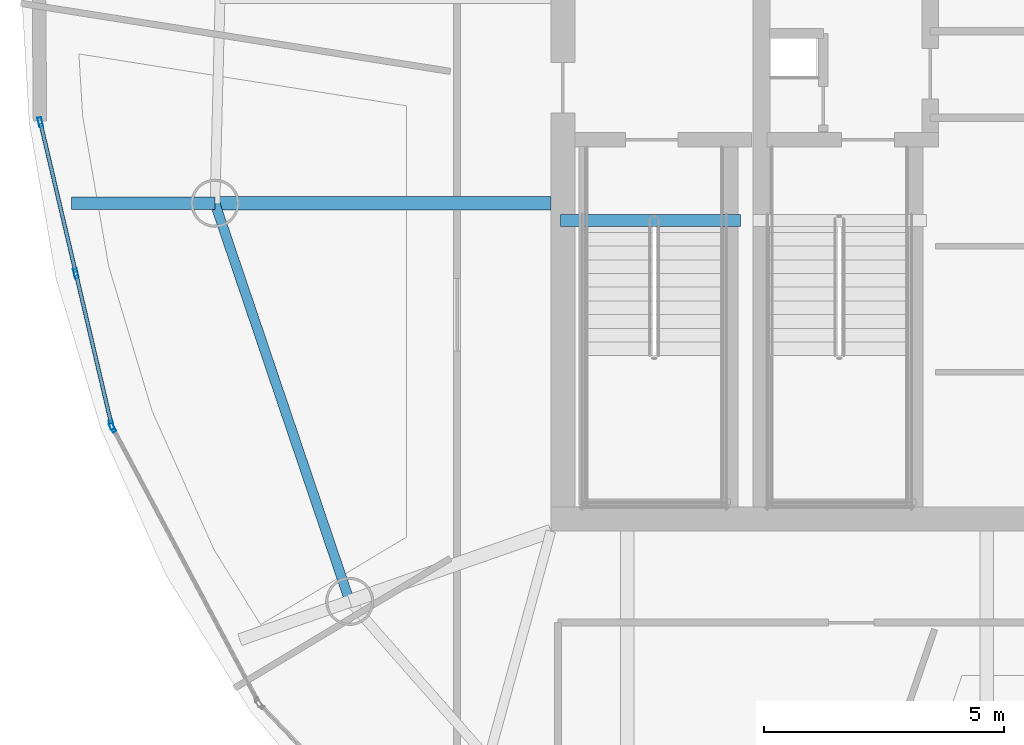
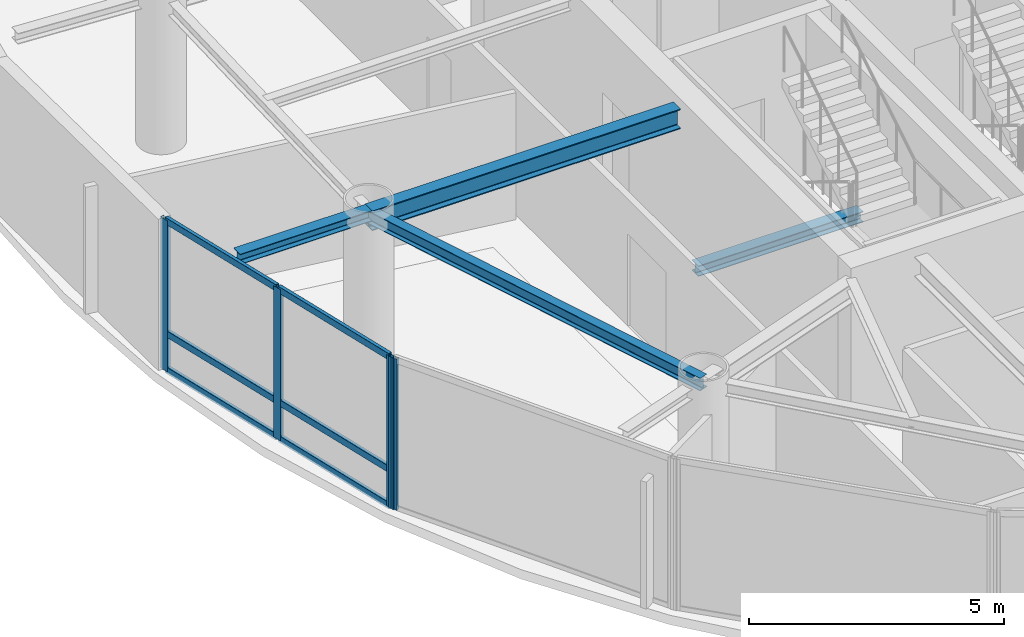
# One storey, part 6 of 21: 10 members, 4 beams, 2 elements without a shape of their own.
"""IFC4 building model written with IfcOpenShell, lengths in metres."""

from ifc_helpers import new_model, si_unit, direction, frame, origin, origin_2d, place, context, subcontext, project, spatial, hollow_rectangle, i_section, extrude, material, layer, layer_set, material_profile, profile_set, type_object, element, aggregate, save


model = new_model("IFC4")

# Units and contexts
model_context = context("Model", 3, precision=1e-05, world=origin(), true_north=direction((0.0, 1.0)))
body_context = subcontext(model_context, "Body", "Model", "MODEL_VIEW")
ifc_project = project(units=[si_unit("LENGTHUNIT", "METRE"), si_unit("AREAUNIT", "SQUARE_METRE"), si_unit("VOLUMEUNIT", "CUBIC_METRE"), si_unit("PLANEANGLEUNIT", "RADIAN"), si_unit("MASSUNIT", "GRAM", prefix="KILO")], contexts=[model_context])

# Site, building, storey
site_placement = place(None, origin())
site = spatial("IfcSite", under=ifc_project, at=site_placement, CompositionType="ELEMENT")
building_placement = place(site_placement, origin())
building = spatial("IfcBuilding", under=site, at=building_placement, Name="Bramvorn Convention Spire", CompositionType="ELEMENT")
storey_placement = place(building_placement, frame((0.0, 0.0, 249.75)))
storey = spatial("IfcBuildingStorey", under=building, at=storey_placement, Name="L63", CompositionType="ELEMENT", Elevation=249.75)

# Beams
ifc_material_1 = material(Name="Steel CSA G40.21 Grade 350 (350W)", Category="steel")
ifc_material_profile_1 = material_profile(ifc_material_1, i_section(OverallWidth=0.25390625, OverallDepth=0.2529296875, WebThickness=0.008544921875, FlangeThickness=0.01416015625, FilletRadius=0.011962890625, at=origin_2d()))
ifc_profile_set_1 = profile_set([ifc_material_profile_1], Name="Steel CSA G40.21 Grade 350 (350W) - W250X73")
beam_type_1 = type_object("IfcBeamType", Name="BM-W250X73", PredefinedType="BEAM", material=ifc_profile_set_1)
beam_1_placement = place(storey_placement, frame((19.765380859375, 25.37060546875, 3.49853515625), z_axis=(-1.0, 0.0, 0.0), x_axis=(0.0, -1.0, 0.0)))
element("IfcBeam", 1, at=beam_1_placement, inside=storey, type_object=beam_type_1, Name="L63 slab-edge cantilever tip beam MC12", PredefinedType="BEAM", context=body_context, shape_type="SweptSolid", body=[
    extrude(i_section(OverallWidth=0.25390625, OverallDepth=0.2529296875, WebThickness=0.008544921875, FlangeThickness=0.01416015625, FilletRadius=0.011962890625, at=origin_2d()), origin(), (0.0, 0.0, 1.0), 2.98388671875),
])
beam_2_placement = place(storey_placement, frame((26.949951171875, 25.010009765625, -0.12646484375), z_axis=(1.0, 0.0, 0.0), x_axis=(0.0, 1.0, 0.0)))
element("IfcBeam", 2, at=beam_2_placement, inside=storey, type_object=beam_type_1, Name="L63 ST1 stair arrival header beam", PredefinedType="BEAM", context=body_context, shape_type="SweptSolid", body=[
    extrude(i_section(OverallWidth=0.25390625, OverallDepth=0.2529296875, WebThickness=0.008544921875, FlangeThickness=0.01416015625, FilletRadius=0.011962890625, at=origin_2d()), origin(), (0.0, 0.0, 1.0), 3.739990234375),
])
ifc_material_profile_2 = material_profile(ifc_material_1, i_section(OverallWidth=0.202880859375, OverallDepth=0.302978515625, WebThickness=0.007568359375, FlangeThickness=0.01318359375, FilletRadius=0.013916015625, at=origin_2d()))
ifc_profile_set_2 = profile_set([ifc_material_profile_2], Name="Steel CSA G40.21 Grade 350 (350W) - W310X60")
beam_type_2 = type_object("IfcBeamType", Name="BM-W310X60", PredefinedType="JOIST", material=ifc_profile_set_2)
beam_3_placement = place(storey_placement, frame((19.765380859375, 25.37060546875, 3.473388671875), z_axis=(0.320531023763, -0.947238018032, 0.0), x_axis=(0.947238018032, 0.320531023763, 0.0)))
element("IfcBeam", 3, at=beam_3_placement, inside=storey, type_object=beam_type_2, Name="L63 mega-column ring beam 12", PredefinedType="JOIST", context=body_context, shape_type="SweptSolid", body=[
    extrude(i_section(OverallWidth=0.202880859375, OverallDepth=0.302978515625, WebThickness=0.007568359375, FlangeThickness=0.01318359375, FilletRadius=0.013916015625, at=origin_2d()), origin(), (0.0, 0.0, 1.0), 8.74169921875),
])
ifc_material_profile_3 = material_profile(ifc_material_1, i_section(OverallWidth=0.283935546875, OverallDepth=0.47607421875, WebThickness=0.014892578125, FlangeThickness=0.02392578125, FilletRadius=0.01806640625, at=origin_2d()))
ifc_profile_set_3 = profile_set([ifc_material_profile_3], Name="Steel CSA G40.21 Grade 350 (350W) - W460X158")
beam_type_3 = type_object("IfcBeamType", Name="BM-W460X158", PredefinedType="SPANDREL", material=ifc_profile_set_3)
beam_4_placement = place(storey_placement, frame((26.75, 25.37060546875, 3.386962890625), z_axis=(-1.0, 0.0, 0.0), x_axis=(0.0, -1.0, 0.0)))
element("IfcBeam", 4, at=beam_4_placement, inside=storey, type_object=beam_type_3, Name="L63 radial floor girder MC12", PredefinedType="SPANDREL", context=body_context, shape_type="SweptSolid", body=[
    extrude(i_section(OverallWidth=0.283935546875, OverallDepth=0.47607421875, WebThickness=0.014892578125, FlangeThickness=0.02392578125, FilletRadius=0.01806640625, at=origin_2d()), origin(), (0.0, 0.0, 1.0), 6.984619140625),
])

# Curtain wall, members
ifc_material_2 = material(Name="Anodised Bronze Unitised Curtain Wall", Category="aluminium")
ifc_layer = layer(ifc_material_2, 0.179931640625)
ifc_layer_set = layer_set([ifc_layer], Name="Anodised Bronze Unitised Curtain Wall - CW-OFF-FRIT")
curtain_wall_type = type_object("IfcCurtainWallType", Name="CW-OFF-FRIT", PredefinedType="USERDEFINED", material=ifc_layer_set)
curtain_wall_1_placement = place(storey_placement, origin())
curtain_wall_1 = element("IfcCurtainWall", 5, at=curtain_wall_1_placement, inside=storey, type_object=curtain_wall_type, Name="L63 fritted glass curtain wall 17", ObjectType="UNITISED CURTAIN WALL", PredefinedType="USERDEFINED")
ifc_material_3 = material(Name="Anodised Bronze Aluminium 6063-T6", Category="aluminium")
ifc_material_profile_4 = material_profile(ifc_material_3, hollow_rectangle(XDim=0.080078125, YDim=0.199951171875, WallThickness=0.00390625, InnerFilletRadius=0.0009765625, OuterFilletRadius=0.00390625, at=origin_2d()))
ifc_profile_set_4 = profile_set([ifc_material_profile_4], Name="Anodised Bronze Aluminium 6063-T6 - CWM80X200")
member_type_1 = type_object("IfcMemberType", Name="CW-MUL-180", PredefinedType="MULLION", material=ifc_profile_set_4)
member_1_placement = place(storey_placement, frame((17.6142578125, 20.76123046875, 0.0), z_axis=(0.0, 0.0, 1.0), x_axis=(-0.973407923513, -0.229078620658, 0.0)))
member_1 = element("IfcMember", 6, at=member_1_placement, type_object=member_type_1, Name="CW3 mullion 1", PredefinedType="MULLION", context=body_context, shape_type="SweptSolid", body=[
    extrude(hollow_rectangle(XDim=0.080078125, YDim=0.199951171875, WallThickness=0.00390625, InnerFilletRadius=0.0009765625, OuterFilletRadius=0.00390625, at=origin_2d()), origin(), (0.0, 0.0, 1.0), 3.625),
])
member_2_placement = place(storey_placement, frame((16.87353515625, 23.908447265625, 0.0), z_axis=(0.0, 0.0, 1.0), x_axis=(-0.973407923513, -0.229078620658, 0.0)))
member_2 = element("IfcMember", 7, at=member_2_placement, type_object=member_type_1, Name="CW3 mullion 2", PredefinedType="MULLION", context=body_context, shape_type="SweptSolid", body=[
    extrude(hollow_rectangle(XDim=0.080078125, YDim=0.199951171875, WallThickness=0.00390625, InnerFilletRadius=0.0009765625, OuterFilletRadius=0.00390625, at=origin_2d()), origin(), (0.0, 0.0, 1.0), 3.625),
])
member_3_placement = place(storey_placement, frame((16.133056640625, 27.055419921875, 0.0), z_axis=(0.0, 0.0, 1.0), x_axis=(-0.973407923513, -0.229078620658, 0.0)))
member_3 = element("IfcMember", 8, at=member_3_placement, type_object=member_type_1, Name="CW3 mullion 3", PredefinedType="MULLION", context=body_context, shape_type="SweptSolid", body=[
    extrude(hollow_rectangle(XDim=0.080078125, YDim=0.199951171875, WallThickness=0.00390625, InnerFilletRadius=0.0009765625, OuterFilletRadius=0.00390625, at=origin_2d()), origin(), (0.0, 0.0, 1.0), 3.625),
])

# Curtain wall, member
curtain_wall_2_placement = place(storey_placement, origin())
curtain_wall_2 = element("IfcCurtainWall", 9, at=curtain_wall_2_placement, inside=storey, type_object=curtain_wall_type, Name="L63 fritted glass curtain wall 18", ObjectType="UNITISED CURTAIN WALL", PredefinedType="USERDEFINED")
member_4_placement = place(storey_placement, frame((17.63525390625, 20.70556640625, 0.0), z_axis=(0.0, 0.0, 1.0), x_axis=(-0.883201003682, -0.468994655721, 0.0)))
member_4 = element("IfcMember", 10, at=member_4_placement, type_object=member_type_1, Name="CW3 mullion 2", PredefinedType="MULLION", context=body_context, shape_type="SweptSolid", body=[
    extrude(hollow_rectangle(XDim=0.080078125, YDim=0.199951171875, WallThickness=0.00390625, InnerFilletRadius=0.0009765625, OuterFilletRadius=0.00390625, at=origin_2d()), origin(), (0.0, 0.0, 1.0), 3.625),
])
aggregate(curtain_wall_2, [member_4])

# Member
ifc_material_profile_5 = material_profile(ifc_material_3, hollow_rectangle(XDim=0.080078125, YDim=0.159912109375, WallThickness=0.00390625, InnerFilletRadius=0.0009765625, OuterFilletRadius=0.00390625, at=origin_2d()))
ifc_profile_set_5 = profile_set([ifc_material_profile_5], Name="Anodised Bronze Aluminium 6063-T6 - CWT80X160")
member_type_2 = type_object("IfcMemberType", Name="CW-TRN-150", PredefinedType="USERDEFINED", material=ifc_profile_set_5)
member_5_placement = place(storey_placement, frame((17.607421875, 20.79052734375, 0.030029296875), z_axis=(-0.229133681367, 0.973394964063, 0.0), x_axis=(-0.973394964063, -0.229133681367, 0.0)))
member_5 = element("IfcMember", 11, at=member_5_placement, type_object=member_type_2, Name="CW3 transom 1.1", ObjectType="TRANSOM", PredefinedType="USERDEFINED", context=body_context, shape_type="SweptSolid", body=[
    extrude(hollow_rectangle(XDim=0.080078125, YDim=0.159912109375, WallThickness=0.00390625, InnerFilletRadius=0.0009765625, OuterFilletRadius=0.00390625, at=origin_2d()), origin(), (0.0, 0.0, 1.0), 3.173095703125),
])

member_6_placement = place(storey_placement, frame((17.607421875, 20.79052734375, 0.89990234375), z_axis=(-0.229133681367, 0.973394964063, 0.0), x_axis=(-0.973394964063, -0.229133681367, 0.0)))
member_6 = element("IfcMember", 12, at=member_6_placement, type_object=member_type_2, Name="CW3 transom 1.2", ObjectType="TRANSOM", PredefinedType="USERDEFINED", context=body_context, shape_type="SweptSolid", body=[
    extrude(hollow_rectangle(XDim=0.080078125, YDim=0.159912109375, WallThickness=0.00390625, InnerFilletRadius=0.0009765625, OuterFilletRadius=0.00390625, at=origin_2d()), origin(), (0.0, 0.0, 1.0), 3.173095703125),
])

member_7_placement = place(storey_placement, frame((17.607421875, 20.79052734375, 3.594970703125), z_axis=(-0.229133681367, 0.973394964063, 0.0), x_axis=(-0.973394964063, -0.229133681367, 0.0)))
member_7 = element("IfcMember", 13, at=member_7_placement, type_object=member_type_2, Name="CW3 transom 1.3", ObjectType="TRANSOM", PredefinedType="USERDEFINED", context=body_context, shape_type="SweptSolid", body=[
    extrude(hollow_rectangle(XDim=0.080078125, YDim=0.159912109375, WallThickness=0.00390625, InnerFilletRadius=0.0009765625, OuterFilletRadius=0.00390625, at=origin_2d()), origin(), (0.0, 0.0, 1.0), 3.173095703125),
])

member_8_placement = place(storey_placement, frame((16.86669921875, 23.9375, 0.030029296875), z_axis=(-0.229043622056, 0.973416159305, 0.0), x_axis=(-0.973416159305, -0.229043622056, 0.0)))
member_8 = element("IfcMember", 14, at=member_8_placement, type_object=member_type_2, Name="CW3 transom 2.1", ObjectType="TRANSOM", PredefinedType="USERDEFINED", context=body_context, shape_type="SweptSolid", body=[
    extrude(hollow_rectangle(XDim=0.080078125, YDim=0.159912109375, WallThickness=0.00390625, InnerFilletRadius=0.0009765625, OuterFilletRadius=0.00390625, at=origin_2d()), origin(), (0.0, 0.0, 1.0), 3.17333984375),
])

member_9_placement = place(storey_placement, frame((16.86669921875, 23.9375, 0.89990234375), z_axis=(-0.229043622056, 0.973416159305, 0.0), x_axis=(-0.973416159305, -0.229043622056, 0.0)))
member_9 = element("IfcMember", 15, at=member_9_placement, type_object=member_type_2, Name="CW3 transom 2.2", ObjectType="TRANSOM", PredefinedType="USERDEFINED", context=body_context, shape_type="SweptSolid", body=[
    extrude(hollow_rectangle(XDim=0.080078125, YDim=0.159912109375, WallThickness=0.00390625, InnerFilletRadius=0.0009765625, OuterFilletRadius=0.00390625, at=origin_2d()), origin(), (0.0, 0.0, 1.0), 3.17333984375),
])

member_10_placement = place(storey_placement, frame((16.86669921875, 23.9375, 3.594970703125), z_axis=(-0.229043622056, 0.973416159305, 0.0), x_axis=(-0.973416159305, -0.229043622056, 0.0)))
member_10 = element("IfcMember", 16, at=member_10_placement, type_object=member_type_2, Name="CW3 transom 2.3", ObjectType="TRANSOM", PredefinedType="USERDEFINED", context=body_context, shape_type="SweptSolid", body=[
    extrude(hollow_rectangle(XDim=0.080078125, YDim=0.159912109375, WallThickness=0.00390625, InnerFilletRadius=0.0009765625, OuterFilletRadius=0.00390625, at=origin_2d()), origin(), (0.0, 0.0, 1.0), 3.17333984375),
])

aggregate(curtain_wall_1, [member_1, member_2, member_3, member_5, member_6, member_7, member_8, member_9, member_10])

save(model, "model.ifc")
